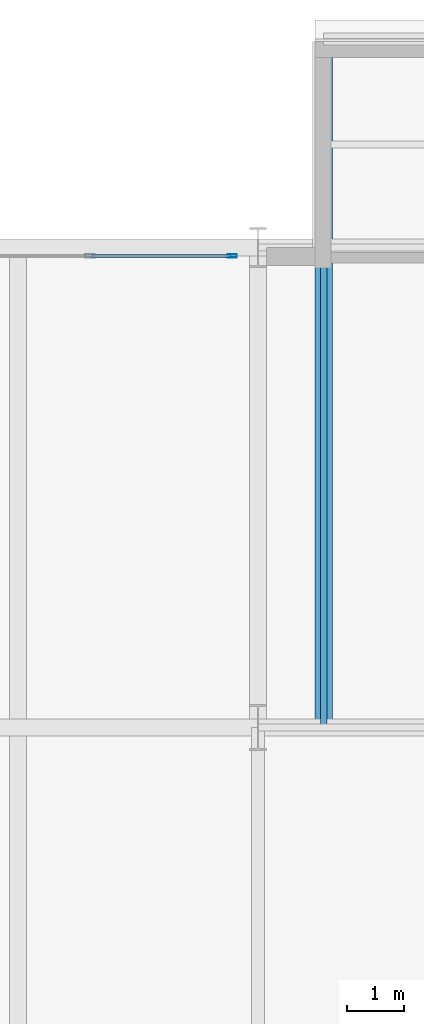
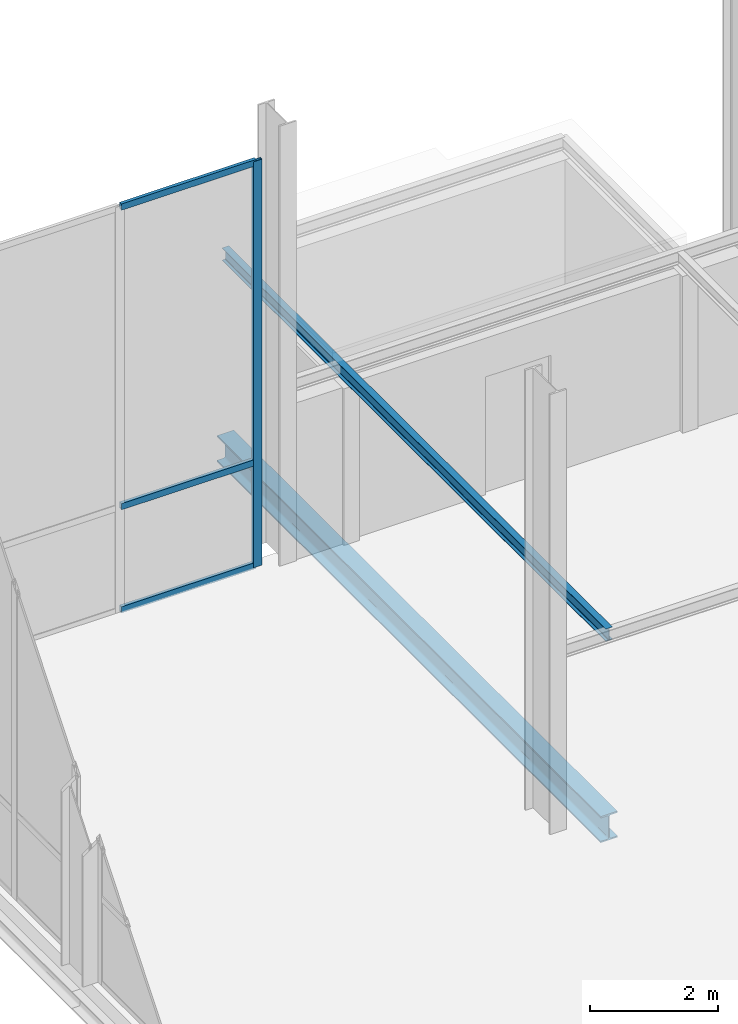
# One storey, part 70 of 131: 4 members, 2 beams, 1 element without a shape of its own.
"""IFC4 building model written with IfcOpenShell, lengths in metres."""

from ifc_helpers import new_model, si_unit, direction, frame, origin, origin_2d, place, context, subcontext, project, spatial, hollow_rectangle, i_section, extrude, material, material_profile, profile_set, type_object, element, aggregate, save


model = new_model("IFC4")

# Units and contexts
model_context = context("Model", 3, precision=1e-05, world=origin(), true_north=direction((0.0, 1.0)))
body_context = subcontext(model_context, "Body", "Model", "MODEL_VIEW")
ifc_project = project(units=[si_unit("LENGTHUNIT", "METRE"), si_unit("AREAUNIT", "SQUARE_METRE"), si_unit("VOLUMEUNIT", "CUBIC_METRE"), si_unit("PLANEANGLEUNIT", "RADIAN"), si_unit("MASSUNIT", "GRAM", prefix="KILO")], contexts=[model_context])

# Site, building, storey
site_placement = place(None, origin())
site = spatial("IfcSite", under=ifc_project, at=site_placement, CompositionType="ELEMENT")
building_placement = place(site_placement, origin())
building = spatial("IfcBuilding", under=site, at=building_placement, Name="Veltarok Museum of Natural Sciences", CompositionType="ELEMENT")
storey_placement = place(building_placement, origin())
storey = spatial("IfcBuildingStorey", under=building, at=storey_placement, Name="L00", CompositionType="ELEMENT", Elevation=0.0)

# Beams
ifc_material_1 = material(Name="Steel S355J2", Category="steel")
ifc_material_profile_1 = material_profile(ifc_material_1, i_section(OverallWidth=0.300048828125, OverallDepth=0.5, WebThickness=0.014404296875, FlangeThickness=0.028076171875, FilletRadius=0.027099609375, at=origin_2d()), Name="HEB 500")
ifc_profile_set_1 = profile_set([ifc_material_profile_1], Name="Steel S355J2")
beam_type_1 = type_object("IfcBeamType", Name="Cabinet Box Cantilever Girder HEB 500", PredefinedType="BEAM", material=ifc_profile_set_1)
beam_1_placement = place(storey_placement, frame((66.35009765625, 100.800048828125, -0.550048828125), z_axis=(0.0, 1.0, 0.0), x_axis=(-1.0, 0.0, 0.0)))
element("IfcBeam", 1, at=beam_1_placement, inside=storey, type_object=beam_type_1, Name="Cabinet Cantilever Girder DB-34-1", PredefinedType="BEAM", context=body_context, shape_type="SweptSolid", body=[
    extrude(i_section(OverallWidth=0.300048828125, OverallDepth=0.5, WebThickness=0.014404296875, FlangeThickness=0.028076171875, FilletRadius=0.027099609375, at=origin_2d()), origin(), (0.0, 0.0, 1.0), 12.0),
])
ifc_material_profile_2 = material_profile(ifc_material_1, i_section(OverallWidth=0.1201171875, OverallDepth=0.239990234375, WebThickness=0.006103515625, FlangeThickness=0.009765625, FilletRadius=0.014892578125, at=origin_2d()), Name="IPE 240")
ifc_profile_set_2 = profile_set([ifc_material_profile_2], Name="Steel S355J2")
beam_type_2 = type_object("IfcBeamType", Name="Cabinet Box Secondary Joist IPE 240", PredefinedType="JOIST", material=ifc_profile_set_2)
beam_2_placement = place(storey_placement, frame((66.35009765625, 100.800048828125, 3.1298828125), z_axis=(0.0, 1.0, 0.0), x_axis=(-1.0, 0.0, 0.0)))
element("IfcBeam", 2, at=beam_2_placement, inside=storey, type_object=beam_type_2, Name="Cabinet Roof Rafter DB-34-1", PredefinedType="JOIST", context=body_context, shape_type="SweptSolid", body=[
    extrude(i_section(OverallWidth=0.1201171875, OverallDepth=0.239990234375, WebThickness=0.006103515625, FlangeThickness=0.009765625, FilletRadius=0.014892578125, at=origin_2d()), origin(), (0.0, 0.0, 1.0), 12.0),
])

# Curtain wall, members
ifc_material_2 = material(Name="Low-iron triple insulated glass", Category="glass")
curtain_wall_type = type_object("IfcCurtainWallType", Name="Curtain Wall System CW-V2NP-L00-7-756x775 (North Pavilion L00 7-8 756x775cm)", PredefinedType="NOTDEFINED", material=ifc_material_2)
curtain_wall_placement = place(storey_placement, origin())
curtain_wall = element("IfcCurtainWall", 3, at=curtain_wall_placement, inside=storey, type_object=curtain_wall_type, Name="Curtain Wall CW-V2NP-L00-7-756x775 CW-0067", PredefinedType="NOTDEFINED")
ifc_material_3 = material(Name="Thermally broken anodised aluminium", Category="aluminium")
ifc_material_profile_3 = material_profile(ifc_material_3, hollow_rectangle(XDim=0.06005859375, YDim=0.1201171875, WallThickness=0.0048828125, at=origin_2d()), Name="CW TRANSOM 60x120x5")
ifc_profile_set_3 = profile_set([ifc_material_profile_3], Name="Thermally broken anodised aluminium")
member_type_1 = type_object("IfcMemberType", Name="Curtain Wall Horizontal Transom 60x120x5", PredefinedType="USERDEFINED", material=ifc_profile_set_3)
member_1_placement = place(storey_placement, frame((64.719970703125, 109.050048828125, 0.030029296875), z_axis=(-1.0, 0.0, 0.0), x_axis=(0.0, -1.0, 0.0)))
member_1 = element("IfcMember", 4, at=member_1_placement, type_object=member_type_1, Name="CW-V2NP-L00-7-756x775 transom 1.1", ObjectType="TRANSOM", PredefinedType="USERDEFINED", context=body_context, shape_type="SweptSolid", body=[
    extrude(hollow_rectangle(XDim=0.06005859375, YDim=0.1201171875, WallThickness=0.0048828125, at=origin_2d()), origin(), (0.0, 0.0, 1.0), 2.429931640625),
])
member_2_placement = place(storey_placement, frame((64.719970703125, 109.050048828125, 2.0), z_axis=(-1.0, 0.0, 0.0), x_axis=(0.0, -1.0, 0.0)))
member_2 = element("IfcMember", 5, at=member_2_placement, type_object=member_type_1, Name="CW-V2NP-L00-7-756x775 transom 1.2", ObjectType="TRANSOM", PredefinedType="USERDEFINED", context=body_context, shape_type="SweptSolid", body=[
    extrude(hollow_rectangle(XDim=0.06005859375, YDim=0.1201171875, WallThickness=0.0048828125, at=origin_2d()), origin(), (0.0, 0.0, 1.0), 2.429931640625),
])
member_3_placement = place(storey_placement, frame((64.719970703125, 109.050048828125, 7.719970703125), z_axis=(-1.0, 0.0, 0.0), x_axis=(0.0, -1.0, 0.0)))
member_3 = element("IfcMember", 6, at=member_3_placement, type_object=member_type_1, Name="CW-V2NP-L00-7-756x775 transom 1.3", ObjectType="TRANSOM", PredefinedType="USERDEFINED", context=body_context, shape_type="SweptSolid", body=[
    extrude(hollow_rectangle(XDim=0.06005859375, YDim=0.1201171875, WallThickness=0.0048828125, at=origin_2d()), origin(), (0.0, 0.0, 1.0), 2.429931640625),
])
ifc_material_profile_4 = material_profile(ifc_material_3, hollow_rectangle(XDim=0.06005859375, YDim=0.159912109375, WallThickness=0.0048828125, at=origin_2d()), Name="CW MULLION 60x160x5")
ifc_profile_set_4 = profile_set([ifc_material_profile_4], Name="Thermally broken anodised aluminium")
member_type_2 = type_object("IfcMemberType", Name="Curtain Wall Vertical Mullion 60x160x5", PredefinedType="MULLION", material=ifc_profile_set_4)
member_4_placement = place(storey_placement, frame((64.75, 109.050048828125, 0.0), z_axis=(0.0, 0.0, 1.0), x_axis=(0.0, -1.0, 0.0)))
member_4 = element("IfcMember", 7, at=member_4_placement, type_object=member_type_2, Name="CW-V2NP-L00-7-756x775 mullion 1", PredefinedType="MULLION", context=body_context, shape_type="SweptSolid", body=[
    extrude(hollow_rectangle(XDim=0.06005859375, YDim=0.159912109375, WallThickness=0.0048828125, at=origin_2d()), origin(), (0.0, 0.0, 1.0), 7.75),
])
aggregate(curtain_wall, [member_4, member_1, member_2, member_3])

save(model, "model.ifc")
